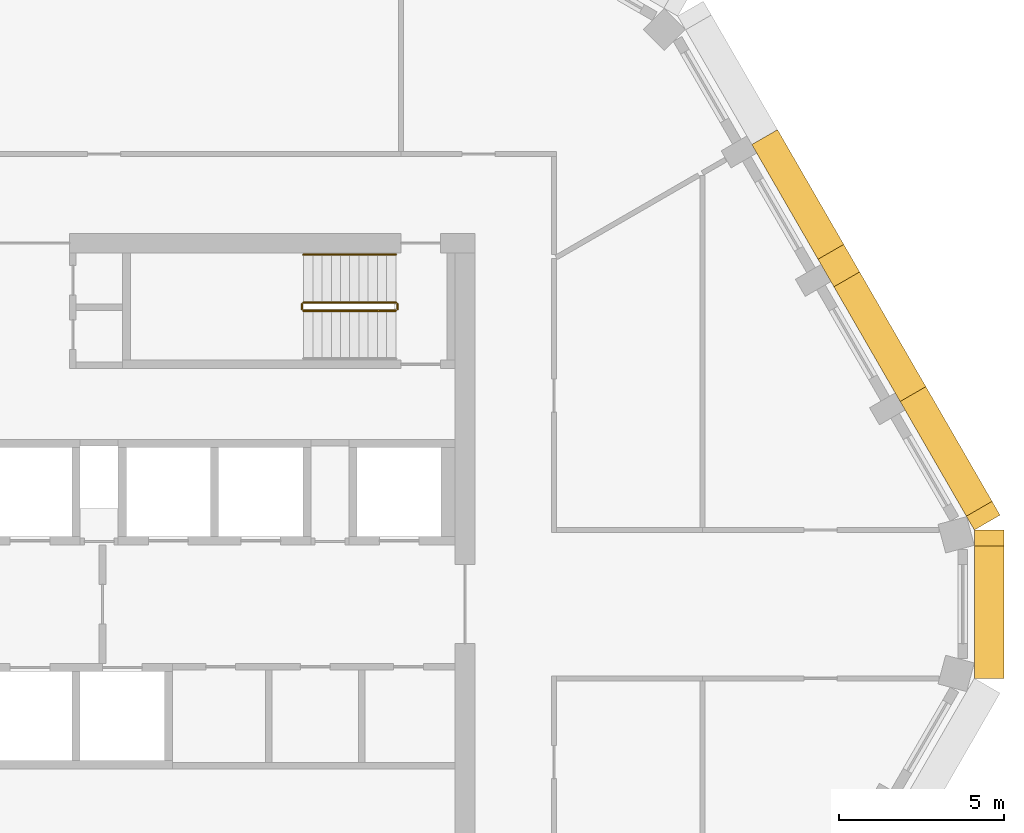
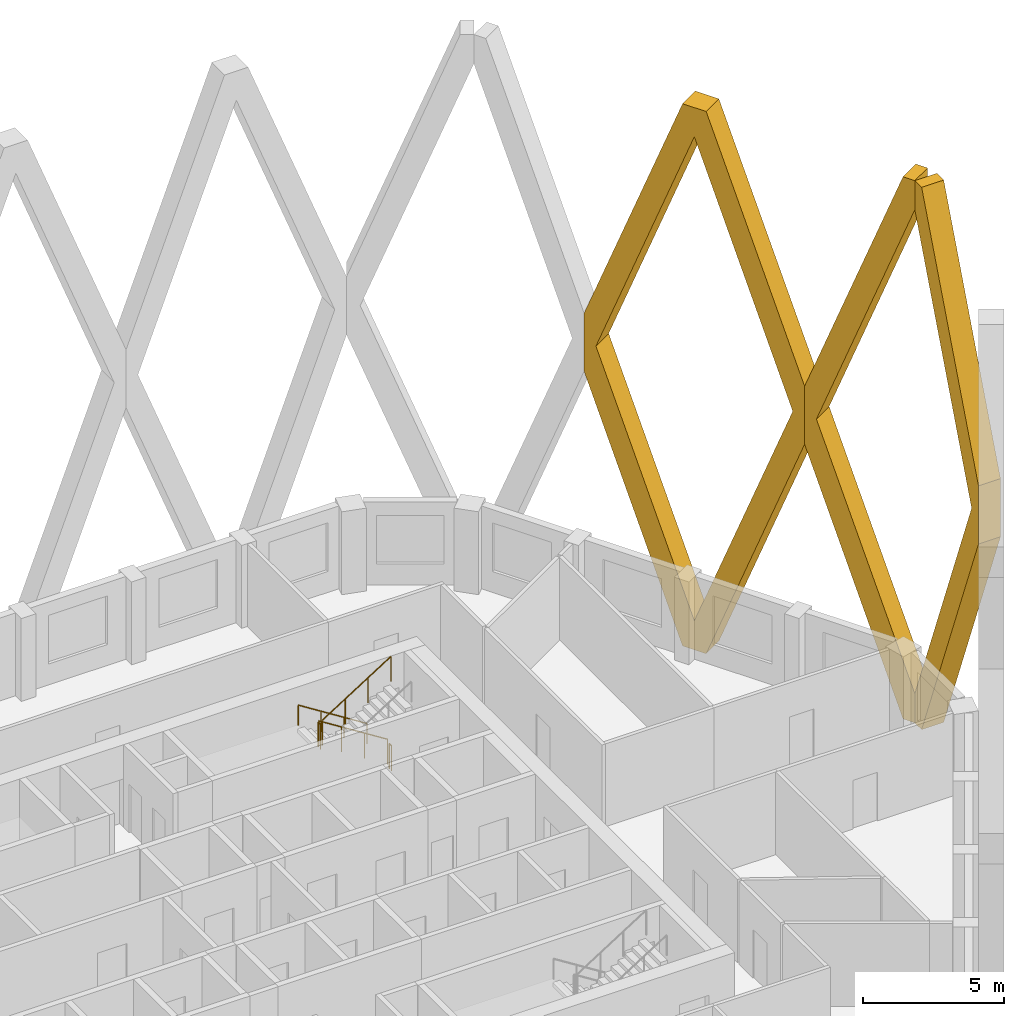
# One storey, part 13 of 14: 5 railings, 3 coverings.
"""IFC4 building model written with IfcOpenShell, lengths in metres."""

from ifc_helpers import new_model, si_unit, direction, frame, origin, origin_2d, place, context, subcontext, project, spatial, polyline, circle, outline, extrude, material, type_object, element, save


model = new_model("IFC4")

# Units and contexts
model_context = context("Model", 3, precision=1e-05, world=origin(), true_north=direction((0.0, 1.0)))
body_context = subcontext(model_context, "Body", "Model", "MODEL_VIEW")
ifc_project = project(units=[si_unit("LENGTHUNIT", "METRE"), si_unit("AREAUNIT", "SQUARE_METRE"), si_unit("VOLUMEUNIT", "CUBIC_METRE"), si_unit("PLANEANGLEUNIT", "RADIAN"), si_unit("MASSUNIT", "GRAM", prefix="KILO")], contexts=[model_context])

# Site, building, storey
site_placement = place(None, origin())
site = spatial("IfcSite", under=ifc_project, at=site_placement, CompositionType="ELEMENT")
building_placement = place(site_placement, origin())
building = spatial("IfcBuilding", under=site, at=building_placement, Name="Dhurran Vertical Campus", CompositionType="ELEMENT")
storey_placement = place(building_placement, frame((0.0, 0.0, 286.5)))
storey = spatial("IfcBuildingStorey", under=building, at=storey_placement, Name="L71", CompositionType="ELEMENT", Elevation=286.5)

# Coverings
ifc_material_1 = material(Name="Precast concrete C50/60", Category="concrete")
covering_type = type_object("IfcCoveringType", Name="Folded precast fin lattice diamond", PredefinedType="USERDEFINED", material=ifc_material_1)
covering_1_placement = place(storey_placement, frame((28.647216796875, -2.25, 0.0), z_axis=(1.0, 0.0, 0.0), x_axis=(0.0, 1.0, 0.0)))
element("IfcCovering", 1, at=covering_1_placement, inside=storey, type_object=covering_type, Name="FN1 L71.008", ObjectType="FIN", PredefinedType="USERDEFINED", context=body_context, shape_type="SweptSolid", body=[
    extrude(outline(polyline([(4.017822265625, 0.0), (0.0, 10.4462890625), (0.0, 12.95361328125), (4.017822265625, 23.39990234375), (4.5, 23.39990234375), (4.5, 22.146484375), (0.482177734375, 11.699951171875), (4.5, 1.253662109375), (4.5, 0.0), (4.017822265625, 0.0)])), origin(), (0.0, 0.0, 1.0), 0.89990234375),
])
covering_2_placement = place(storey_placement, frame((28.647216796875, 2.25, 0.0), z_axis=(0.866013897511, 0.50001992892, 0.0), x_axis=(-0.50001992892, 0.866013897511, 0.0)))
element("IfcCovering", 2, at=covering_2_placement, inside=storey, type_object=covering_type, Name="FN1 L71.009", ObjectType="FIN", PredefinedType="USERDEFINED", context=body_context, shape_type="SweptSolid", body=[
    extrude(outline(polyline([(4.5, 10.4462890625), (0.482177734375, 0.0), (0.0, 0.0), (0.0, 1.253662109375), (4.017822265625, 11.699951171875), (0.0, 22.146484375), (0.0, 23.39990234375), (0.482177734375, 23.39990234375), (4.5, 12.95361328125), (4.5, 10.4462890625)])), origin(), (0.0, 0.0, 1.0), 0.89990234375),
])
covering_3_placement = place(storey_placement, frame((26.397216796875, 6.147216796875, 0.0), z_axis=(0.866013897511, 0.50001992892, 0.0), x_axis=(-0.50001992892, 0.866013897511, 0.0)))
element("IfcCovering", 3, at=covering_3_placement, inside=storey, type_object=covering_type, Name="FN1 L71.010", ObjectType="FIN", PredefinedType="USERDEFINED", context=body_context, shape_type="SweptSolid", body=[
    extrude(outline(polyline([(9.0, 12.95361328125), (9.0, 10.4462890625), (4.982177734375, 0.0), (4.017822265625, 0.0), (0.0, 10.4462890625), (0.0, 12.95361328125), (4.017822265625, 23.39990234375), (4.982177734375, 23.39990234375), (9.0, 12.95361328125)]), holes=[polyline([(8.517822265625, 11.699951171875), (4.5, 22.146484375), (0.482177734375, 11.699951171875), (4.5, 1.253662109375), (8.517822265625, 11.699951171875)])]), origin(), (0.0, 0.0, 1.0), 0.89990234375),
])

# Railings
ifc_material_2 = material(Name="Stainless steel balustrade", Category="steel")
railing_type_1 = type_object("IfcRailingType", Name="co-RL-GUARD-1100", PredefinedType="GUARDRAIL", material=ifc_material_2)
railing_1_placement = place(storey_placement, frame((11.10009765625, 9.14990234375, 0.17724609375)))
element("IfcRailing", 4, at=railing_1_placement, inside=storey, type_object=railing_type_1, Name="L71 ST2 stair guard 1", PredefinedType="GUARDRAIL", context=body_context, shape_type="SweptSolid", body=[
    extrude(circle(Radius=0.02392578125, at=origin_2d()), frame((0.0, 0.0, 1.076171875), z_axis=(-0.844908973607, 0.0, 0.534910110503), x_axis=(0.0, -1.0, 0.0)), (0.0, 0.0, 1.0), 3.31396484375),
    extrude(circle(Radius=0.02099609375, at=origin_2d()), origin(), (0.0, 0.0, 1.0), 1.052001953125),
    extrude(circle(Radius=0.02099609375, at=origin_2d()), frame((-0.933349609375, 0.0, 0.5908203125)), (0.0, 0.0, 1.0), 1.052001953125),
    extrude(circle(Radius=0.02099609375, at=origin_2d()), frame((-1.86669921875, 0.0, 1.181884765625)), (0.0, 0.0, 1.0), 1.052001953125),
    extrude(circle(Radius=0.02099609375, at=origin_2d()), frame((-2.800048828125, 0.0, 1.772705078125)), (0.0, 0.0, 1.0), 1.052001953125),
])
railing_2_placement = place(storey_placement, frame((8.25, 9.10009765625, 1.949951171875)))
element("IfcRailing", 5, at=railing_2_placement, inside=storey, type_object=railing_type_1, Name="L71 ST2 stair guard 2", PredefinedType="GUARDRAIL", context=body_context, shape_type="SweptSolid", body=[
    extrude(circle(Radius=0.02392578125, at=origin_2d()), frame((0.0, 0.0, 1.076171875), z_axis=(0.0, -1.0, 0.0), x_axis=(1.0, 0.0, 0.0)), (0.0, 0.0, 1.0), 0.150146484375),
    extrude(circle(Radius=0.02099609375, at=origin_2d()), origin(), (0.0, 0.0, 1.0), 1.052001953125),
    extrude(circle(Radius=0.02099609375, at=origin_2d()), frame((0.0, -0.150146484375, 0.0)), (0.0, 0.0, 1.0), 1.052001953125),
])
railing_3_placement = place(storey_placement, frame((8.300048828125, 8.89990234375, 2.127197265625)))
element("IfcRailing", 6, at=railing_3_placement, inside=storey, type_object=railing_type_1, Name="L71 ST2 stair guard 3", PredefinedType="GUARDRAIL", context=body_context, shape_type="SweptSolid", body=[
    extrude(circle(Radius=0.02392578125, at=origin_2d()), frame((0.0, 0.0, 1.076171875), z_axis=(0.844908973607, 0.0, 0.534910110503), x_axis=(0.0, 1.0, 0.0)), (0.0, 0.0, 1.0), 3.31396484375),
    extrude(circle(Radius=0.02099609375, at=origin_2d()), origin(), (0.0, 0.0, 1.0), 1.052001953125),
    extrude(circle(Radius=0.02099609375, at=origin_2d()), frame((0.933349609375, 0.0, 0.5908203125)), (0.0, 0.0, 1.0), 1.052001953125),
    extrude(circle(Radius=0.02099609375, at=origin_2d()), frame((1.86669921875, 0.0, 1.181884765625)), (0.0, 0.0, 1.0), 1.052001953125),
    extrude(circle(Radius=0.02099609375, at=origin_2d()), frame((2.800048828125, 0.0, 1.772705078125)), (0.0, 0.0, 1.0), 1.052001953125),
])
railing_4_placement = place(storey_placement, frame((11.14990234375, 9.10009765625, 0.0)))
element("IfcRailing", 7, at=railing_4_placement, inside=storey, type_object=railing_type_1, Name="L71 ST2 stair guard 4", PredefinedType="GUARDRAIL", context=body_context, shape_type="SweptSolid", body=[
    extrude(circle(Radius=0.02392578125, at=origin_2d()), frame((0.0, 0.0, 1.076171875), z_axis=(0.0, -1.0, 0.0), x_axis=(1.0, 0.0, 0.0)), (0.0, 0.0, 1.0), 0.150146484375),
    extrude(circle(Radius=0.02099609375, at=origin_2d()), origin(), (0.0, 0.0, 1.0), 1.052001953125),
    extrude(circle(Radius=0.02099609375, at=origin_2d()), frame((0.0, -0.150146484375, 0.0)), (0.0, 0.0, 1.0), 1.052001953125),
])
ifc_material_3 = material(Name="Stainless steel handrail", Category="steel")
railing_type_2 = type_object("IfcRailingType", Name="co-RL-HANDRAIL-900", PredefinedType="HANDRAIL", material=ifc_material_3)
railing_5_placement = place(storey_placement, frame((11.10009765625, 10.60009765625, 0.17724609375)))
element("IfcRailing", 8, at=railing_5_placement, inside=storey, type_object=railing_type_2, Name="L71 ST2 stair handrail 1", PredefinedType="HANDRAIL", context=body_context, shape_type="SweptSolid", body=[
    extrude(circle(Radius=0.02392578125, at=origin_2d()), frame((0.0, 0.0, 0.8759765625), z_axis=(-0.844908973607, 0.0, 0.534910110503), x_axis=(0.0, -1.0, 0.0)), (0.0, 0.0, 1.0), 3.31396484375),
    extrude(circle(Radius=0.02099609375, at=origin_2d()), origin(), (0.0, 0.0, 1.0), 0.851806640625),
    extrude(circle(Radius=0.02099609375, at=origin_2d()), frame((-0.933349609375, 0.0, 0.5908203125)), (0.0, 0.0, 1.0), 0.851806640625),
    extrude(circle(Radius=0.02099609375, at=origin_2d()), frame((-1.86669921875, 0.0, 1.181884765625)), (0.0, 0.0, 1.0), 0.851806640625),
    extrude(circle(Radius=0.02099609375, at=origin_2d()), frame((-2.800048828125, 0.0, 1.772705078125)), (0.0, 0.0, 1.0), 0.851806640625),
])

save(model, "model.ifc")
